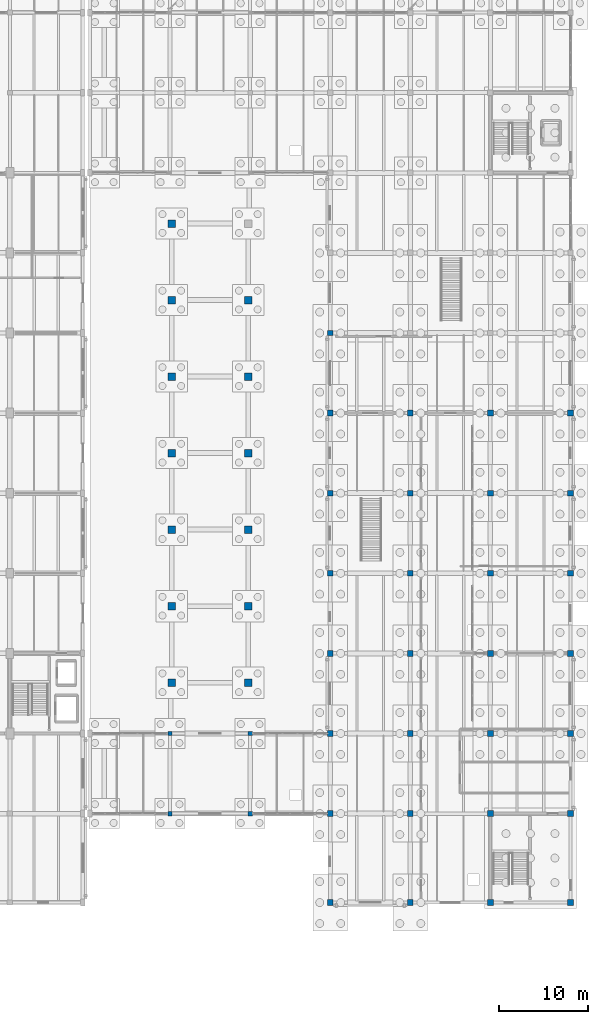
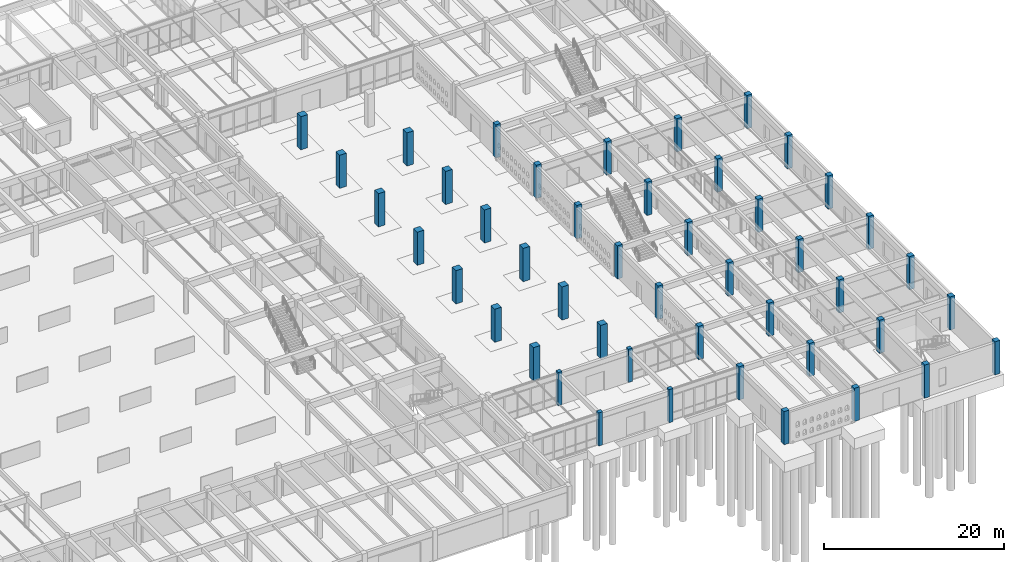
# One storey, part 18 of 186: 46 columns.
"""IFC4 building model written with IfcOpenShell, lengths in metres."""

import ifcopenshell
import ifcopenshell.guid

model = None  # the IFC model being written
_history = None  # IfcOwnerHistory: only IFC2X3 demands one
_inside = {}  # id of a spatial element -> (the spatial element, [elements in it])
_under = {}  # id of a project, library or spatial element -> (it, [spatial elements below it])
_declared = {}  # id of a project -> (the project, [libraries it declares])
_typed = {}  # id of a type object -> (the type object, [elements of that type])
_made_of = {}  # id of a material, layer set ... -> (it, [elements and type objects made of it])


def new_model(schema):
    """Start an empty IFC model of exactly this schema.

    Asked for "IFC4X3", IfcOpenShell would pick the latest addendum, in which some entities
    have other attributes; the version numbers below select the first issue.
    IFC2X3 requires an IfcOwnerHistory on every rooted entity: one is made here for all.
    """
    global model, _history
    if schema == "IFC4X3":
        model = ifcopenshell.file(schema_version=(4, 3, 0, 0))
    else:
        model = ifcopenshell.file(schema=schema)
    _inside.clear()
    _under.clear()
    _declared.clear()
    _typed.clear()
    _made_of.clear()
    _history = None
    if model.schema == "IFC2X3":
        org = make("IfcOrganization", Name="unknown")
        user = make(
            "IfcPersonAndOrganization",
            ThePerson=make("IfcPerson", FamilyName="unknown"),
            TheOrganization=org,
        )
        app = make(
            "IfcApplication",
            ApplicationDeveloper=org,
            Version="unknown",
            ApplicationFullName="unknown",
            ApplicationIdentifier="unknown",
        )
        _history = make(
            "IfcOwnerHistory",
            OwningUser=user,
            OwningApplication=app,
            ChangeAction="ADDED",
            CreationDate=0,
        )
    return model


def make(cls, **values):
    """One entity of the class cls with the attributes given. An attribute that is None is left unset."""
    return model.create_entity(
        cls, **{name: value for name, value in values.items() if value is not None}
    )


def rooted(cls, **values):
    """An entity with a GlobalId (a new one), such as an element, a storey or a relation."""
    return make(cls, GlobalId=ifcopenshell.guid.new(), OwnerHistory=_history, **values)


def si_unit(unit_type, name, prefix=None):
    """IfcSIUnit, for example si_unit("LENGTHUNIT", "METRE", prefix="MILLI")."""
    return make("IfcSIUnit", UnitType=unit_type, Prefix=prefix, Name=name)


def assignment(units):
    """IfcUnitAssignment: the units of a project."""
    return None if units is None else make("IfcUnitAssignment", Units=units)


def point(xyz):
    """IfcCartesianPoint."""
    return None if xyz is None else make("IfcCartesianPoint", Coordinates=xyz)


def direction(xyz):
    """IfcDirection."""
    return None if xyz is None else make("IfcDirection", DirectionRatios=xyz)


def frame(location, z_axis=None, x_axis=None):
    """IfcAxis2Placement3D, a coordinate frame: its origin and axes. An axis left out is left unset."""
    return make(
        "IfcAxis2Placement3D",
        Location=point(location),
        Axis=direction(z_axis),
        RefDirection=direction(x_axis),
    )


def frame_2d(location, x_axis=None):
    """IfcAxis2Placement2D, a coordinate frame in the plane: its origin and x axis."""
    return make(
        "IfcAxis2Placement2D", Location=point(location), RefDirection=direction(x_axis)
    )


def origin():
    """The frame at (0, 0, 0) with its axes left unset."""
    return frame((0.0, 0.0, 0.0))


def origin_2d():
    """The frame at (0, 0) in the plane with its x axis left unset."""
    return frame_2d((0.0, 0.0))


def place(relative_to, where):
    """IfcLocalPlacement: puts the frame where relative to a parent placement (None: the world)."""
    return make(
        "IfcLocalPlacement", PlacementRelTo=relative_to, RelativePlacement=where
    )


def context(
    kind, dimensions, precision=None, world=None, true_north=None, identifier=None
):
    """IfcGeometricRepresentationContext, for example the 3D "Model" context."""
    return make(
        "IfcGeometricRepresentationContext",
        ContextIdentifier=identifier,
        ContextType=kind,
        CoordinateSpaceDimension=dimensions,
        Precision=precision,
        WorldCoordinateSystem=world,
        TrueNorth=true_north,
    )


def subcontext(parent, identifier, kind, view, scale=None):
    """IfcGeometricRepresentationSubContext, for example "Body" below "Model"."""
    return make(
        "IfcGeometricRepresentationSubContext",
        ContextIdentifier=identifier,
        ContextType=kind,
        ParentContext=parent,
        TargetScale=scale,
        TargetView=view,
    )


def project(units=None, contexts=None):
    """IfcProject with its units and contexts."""
    return rooted(
        "IfcProject",
        Name="project",
        RepresentationContexts=contexts,
        UnitsInContext=assignment(units),
    )


def spatial(cls, under=None, at=None, **own):
    """A site, building, storey or space (cls), placed at a placement, below another one or the project."""
    s = rooted(cls, ObjectPlacement=at, **own)
    if under is not None:
        _under.setdefault(under.id(), (under, []))[1].append(s)
    return s


def profile(cls, at=None, kind="AREA", **sizes):
    """A parametric profile (cls). Its sizes go by their IFC names, for example OverallWidth=200.0."""
    return make(cls, ProfileType=kind, Position=at, **sizes)


def rectangle(**sizes):
    """IfcRectangleProfileDef."""
    return profile("IfcRectangleProfileDef", **sizes)


def extrude(swept, where, along, depth):
    """IfcExtrudedAreaSolid: the profile swept, set in the frame where, extruded along a direction by depth."""
    return make(
        "IfcExtrudedAreaSolid",
        SweptArea=swept,
        Position=where,
        ExtrudedDirection=direction(along),
        Depth=depth,
    )


def shape(context_of_items, identifier, shape_type, items):
    """IfcShapeRepresentation: the items that make up one representation, for example the "Body"."""
    return make(
        "IfcShapeRepresentation",
        ContextOfItems=context_of_items,
        RepresentationIdentifier=identifier,
        RepresentationType=shape_type,
        Items=items,
    )


def material(Name=None, Category=None):
    """IfcMaterial."""
    return make("IfcMaterial", Name=Name, Category=Category)


def material_profile(
    of_material, cross_section, Name=None, Category=None, Priority=None
):
    """IfcMaterialProfile: a cross section and its material."""
    return make(
        "IfcMaterialProfile",
        Name=Name,
        Material=of_material,
        Profile=cross_section,
        Priority=Priority,
        Category=Category,
    )


def profile_set(profiles, Name=None, composite=None):
    """IfcMaterialProfileSet."""
    return make(
        "IfcMaterialProfileSet",
        Name=Name,
        MaterialProfiles=profiles,
        CompositeProfile=composite,
    )


def made_of(thing, what):
    """Note that an element or type object is made of a material, layer set ...; save() writes the relation."""
    if what is not None:
        _made_of.setdefault(what.id(), (what, []))[1].append(thing)
    return thing


def type_object(cls, material=None, **own):
    """A type object (cls), such as IfcWallType, which elements share."""
    return made_of(rooted(cls, **own), material)


def element(
    cls,
    number,
    at=None,
    inside=None,
    cuts=None,
    type_object=None,
    material=None,
    context=None,
    identifier="Body",
    shape_type=None,
    held_by="IfcProductDefinitionShape",
    body=None,
    shapes=None,
    **own,
):
    """One element of the class cls, such as IfcWall. Its Tag is "e" and its number.

    at: its placement. inside: the storey or other place that contains it. cuts: it is an
    opening in that element (IfcRelVoidsElement). A single representation is given by context,
    identifier, shape_type and body (its items); several are given by shapes. held_by: the class
    of the entity that holds the representations. save() writes the other relations.
    """
    e = rooted(cls, Tag="e%d" % number, ObjectPlacement=at, **own)
    if body is not None:
        shapes = [shape(context, identifier, shape_type, body)]
    if shapes is not None:
        e.Representation = make(held_by, Representations=shapes)
    if inside is not None:
        _inside.setdefault(inside.id(), (inside, []))[1].append(e)
    if cuts is not None:
        rooted(
            "IfcRelVoidsElement", RelatingBuildingElement=cuts, RelatedOpeningElement=e
        )
    if type_object is not None:
        _typed.setdefault(type_object.id(), (type_object, []))[1].append(e)
    return made_of(e, material)


def aggregate(whole, parts):
    """IfcRelAggregates: a whole, such as a stair, and the parts it consists of."""
    return rooted("IfcRelAggregates", RelatingObject=whole, RelatedObjects=parts)


def save(model, path):
    """Write the relations noted so far, then the file.

    IfcRelAggregates (storeys below a building ...), IfcRelContainedInSpatialStructure (elements
    in a storey), IfcRelDefinesByType, IfcRelAssociatesMaterial and IfcRelDeclares: one each for
    every whole, place, type object, material and project.
    """
    for whole, parts in _under.values():
        aggregate(whole, parts)
    for where, things in _inside.values():
        rooted(
            "IfcRelContainedInSpatialStructure",
            RelatedElements=things,
            RelatingStructure=where,
        )
    for kind, things in _typed.values():
        rooted("IfcRelDefinesByType", RelatedObjects=things, RelatingType=kind)
    for what, things in _made_of.values():
        rooted("IfcRelAssociatesMaterial", RelatedObjects=things, RelatingMaterial=what)
    for by, libraries in _declared.values():
        rooted("IfcRelDeclares", RelatingContext=by, RelatedDefinitions=libraries)
    model.write(path)


model = new_model("IFC4")

# Units and contexts
model_context = context("Model", 3, precision=1e-05, world=origin(), true_north=direction((0.0, 1.0)))
body_context = subcontext(model_context, "Body", "Model", "MODEL_VIEW")
ifc_project = project(units=[si_unit("LENGTHUNIT", "METRE"), si_unit("AREAUNIT", "SQUARE_METRE"), si_unit("VOLUMEUNIT", "CUBIC_METRE"), si_unit("PLANEANGLEUNIT", "RADIAN"), si_unit("MASSUNIT", "GRAM", prefix="KILO")], contexts=[model_context])

# Site, building, storey
site_placement = place(None, origin())
site = spatial("IfcSite", under=ifc_project, at=site_placement, CompositionType="ELEMENT")
building_placement = place(site_placement, origin())
building = spatial("IfcBuilding", under=site, at=building_placement, Name="Ornek Quay Market", CompositionType="ELEMENT")
storey_placement = place(building_placement, origin())
storey = spatial("IfcBuildingStorey", under=building, at=storey_placement, Name="L00", CompositionType="ELEMENT", Elevation=0.0)

# Columns
ifc_material = material(Name="Concrete C40/50", Category="concrete")
ifc_material_profile_1 = material_profile(ifc_material, rectangle(XDim=0.5, YDim=0.5, at=origin_2d()), Name="RC 500x500", Category="concrete")
ifc_profile_set_1 = profile_set([ifc_material_profile_1], Name="Concrete C40/50")
column_type_1 = type_object("IfcColumnType", Name="COL-RC-500x500", PredefinedType="COLUMN", material=ifc_profile_set_1)
for number, where, z_axis, x_axis, name in (
    (1, (135.0, 20.0, 0.0), (0.0, 0.0, 1.0), (1.0, 0.0, 0.0), "Column C-50-065"),
    (2, (135.0, 29.0, 0.0), (0.0, 0.0, 1.0), (1.0, 0.0, 0.0), "Column C-50-066"),
    (3, (144.0, 20.0, 0.0), (0.0, 0.0, 1.0), (1.0, 0.0, 0.0), "Column C-50-068"),
    (4, (144.0, 29.0, 0.0), (0.0, 0.0, 1.0), (1.0, 0.0, 0.0), "Column C-50-069"),
):
    element("IfcColumn", number, at=place(storey_placement, frame(where, z_axis=z_axis, x_axis=x_axis)), inside=storey, type_object=column_type_1, Name=name, PredefinedType="COLUMN", context=body_context, shape_type="SweptSolid", body=[
        extrude(rectangle(XDim=0.5, YDim=0.5, at=origin_2d()), origin(), (0.0, 0.0, 1.0), 4.5),
    ])
ifc_material_profile_2 = material_profile(ifc_material, rectangle(XDim=0.60009765625, YDim=0.60009765625, at=origin_2d()), Name="RC 600x600", Category="concrete")
ifc_profile_set_2 = profile_set([ifc_material_profile_2], Name="Concrete C40/50")
column_type_2 = type_object("IfcColumnType", Name="COL-RC-600x600", PredefinedType="COLUMN", material=ifc_profile_set_2)
column_placement = place(storey_placement, frame((153.0, 74.0, 0.0), z_axis=(0.0, 0.0, 1.0), x_axis=(1.0, 0.0, 0.0)))
element("IfcColumn", 5, at=column_placement, inside=storey, type_object=column_type_2, Name="Column C-60-024", PredefinedType="COLUMN", context=body_context, shape_type="SweptSolid", body=[
    extrude(rectangle(XDim=0.60009765625, YDim=0.60009765625, at=origin_2d()), origin(), (0.0, 0.0, 1.0), 4.5),
])
ifc_material_profile_3 = material_profile(ifc_material, rectangle(XDim=0.64990234375, YDim=0.64990234375, at=origin_2d()), Name="RC 650x650", Category="concrete")
ifc_profile_set_3 = profile_set([ifc_material_profile_3], Name="Concrete C40/50")
column_type_3 = type_object("IfcColumnType", Name="COL-RC-650x650", PredefinedType="COLUMN", material=ifc_profile_set_3)
for number, where, z_axis, x_axis, name in (
    (6, (153.0, 10.0, 0.0), (0.0, 0.0, 1.0), (1.0, 0.0, 0.0), "Column C-65-001"),
    (7, (153.0, 20.0, 0.0), (0.0, 0.0, 1.0), (1.0, 0.0, 0.0), "Column C-65-002"),
    (8, (153.0, 29.0, 0.0), (0.0, 0.0, 1.0), (1.0, 0.0, 0.0), "Column C-65-003"),
    (9, (153.0, 38.0, 0.0), (0.0, 0.0, 1.0), (1.0, 0.0, 0.0), "Column C-65-004"),
    (10, (153.0, 47.0, 0.0), (0.0, 0.0, 1.0), (1.0, 0.0, 0.0), "Column C-65-005"),
    (11, (153.0, 56.0, 0.0), (0.0, 0.0, 1.0), (1.0, 0.0, 0.0), "Column C-65-006"),
    (12, (153.0, 65.0, 0.0), (0.0, 0.0, 1.0), (1.0, 0.0, 0.0), "Column C-65-007"),
    (13, (162.0, 10.0, 0.0), (0.0, 0.0, 1.0), (1.0, 0.0, 0.0), "Column C-65-008"),
    (14, (162.0, 20.0, 0.0), (0.0, 0.0, 1.0), (1.0, 0.0, 0.0), "Column C-65-009"),
    (15, (162.0, 29.0, 0.0), (0.0, 0.0, 1.0), (1.0, 0.0, 0.0), "Column C-65-010"),
    (16, (162.0, 38.0, 0.0), (0.0, 0.0, 1.0), (1.0, 0.0, 0.0), "Column C-65-011"),
    (17, (162.0, 47.0, 0.0), (0.0, 0.0, 1.0), (1.0, 0.0, 0.0), "Column C-65-012"),
    (18, (162.0, 56.0, 0.0), (0.0, 0.0, 1.0), (1.0, 0.0, 0.0), "Column C-65-013"),
    (19, (162.0, 65.0, 0.0), (0.0, 0.0, 1.0), (1.0, 0.0, 0.0), "Column C-65-014"),
    (20, (171.0, 10.0, 0.0), (0.0, 0.0, 1.0), (1.0, 0.0, 0.0), "Column C-65-015"),
    (21, (171.0, 20.0, 0.0), (0.0, 0.0, 1.0), (1.0, 0.0, 0.0), "Column C-65-016"),
    (22, (171.0, 29.0, 0.0), (0.0, 0.0, 1.0), (1.0, 0.0, 0.0), "Column C-65-017"),
    (23, (171.0, 38.0, 0.0), (0.0, 0.0, 1.0), (1.0, 0.0, 0.0), "Column C-65-018"),
    (24, (171.0, 47.0, 0.0), (0.0, 0.0, 1.0), (1.0, 0.0, 0.0), "Column C-65-019"),
    (25, (171.0, 56.0, 0.0), (0.0, 0.0, 1.0), (1.0, 0.0, 0.0), "Column C-65-020"),
    (26, (171.0, 65.0, 0.0), (0.0, 0.0, 1.0), (1.0, 0.0, 0.0), "Column C-65-021"),
    (27, (180.0, 10.0, 0.0), (0.0, 0.0, 1.0), (1.0, 0.0, 0.0), "Column C-65-022"),
    (28, (180.0, 20.0, 0.0), (0.0, 0.0, 1.0), (1.0, 0.0, 0.0), "Column C-65-023"),
    (29, (180.0, 29.0, 0.0), (0.0, 0.0, 1.0), (1.0, 0.0, 0.0), "Column C-65-024"),
    (30, (180.0, 38.0, 0.0), (0.0, 0.0, 1.0), (1.0, 0.0, 0.0), "Column C-65-025"),
    (31, (180.0, 47.0, 0.0), (0.0, 0.0, 1.0), (1.0, 0.0, 0.0), "Column C-65-026"),
    (32, (180.0, 56.0, 0.0), (0.0, 0.0, 1.0), (1.0, 0.0, 0.0), "Column C-65-027"),
    (33, (180.0, 65.0, 0.0), (0.0, 0.0, 1.0), (1.0, 0.0, 0.0), "Column C-65-028"),
):
    element("IfcColumn", number, at=place(storey_placement, frame(where, z_axis=z_axis, x_axis=x_axis)), inside=storey, type_object=column_type_3, Name=name, PredefinedType="COLUMN", context=body_context, shape_type="SweptSolid", body=[
        extrude(rectangle(XDim=0.64990234375, YDim=0.64990234375, at=origin_2d()), origin(), (0.0, 0.0, 1.0), 4.5),
    ])
ifc_material_profile_4 = material_profile(ifc_material, rectangle(XDim=0.85009765625, YDim=0.85009765625, at=origin_2d()), Name="RC 850x850", Category="concrete")
ifc_profile_set_4 = profile_set([ifc_material_profile_4], Name="Concrete C40/50")
column_type_4 = type_object("IfcColumnType", Name="COL-UMB-850x850", PredefinedType="COLUMN", material=ifc_profile_set_4)
for number, where, z_axis, x_axis, name in (
    (34, (135.199951171875, 34.699951171875, 0.0), (0.0, 0.0, 1.0), (1.0, 0.0, 0.0), "Umbrella column UMB-E01 (L00)"),
    (35, (135.199951171875, 43.300048828125, 0.0), (0.0, 0.0, 1.0), (1.0, 0.0, 0.0), "Umbrella column UMB-E02 (L00)"),
    (36, (135.199951171875, 51.89990234375, 0.0), (0.0, 0.0, 1.0), (1.0, 0.0, 0.0), "Umbrella column UMB-E03 (L00)"),
    (37, (135.199951171875, 60.5, 0.0), (0.0, 0.0, 1.0), (1.0, 0.0, 0.0), "Umbrella column UMB-E04 (L00)"),
    (38, (135.199951171875, 69.10009765625, 0.0), (0.0, 0.0, 1.0), (1.0, 0.0, 0.0), "Umbrella column UMB-E05 (L00)"),
    (39, (135.199951171875, 77.699951171875, 0.0), (0.0, 0.0, 1.0), (1.0, 0.0, 0.0), "Umbrella column UMB-E06 (L00)"),
    (40, (135.199951171875, 86.300048828125, 0.0), (0.0, 0.0, 1.0), (1.0, 0.0, 0.0), "Umbrella column UMB-E07 (L00)"),
    (41, (143.800048828125, 34.699951171875, 0.0), (0.0, 0.0, 1.0), (1.0, 0.0, 0.0), "Umbrella column UMB-E08 (L00)"),
    (42, (143.800048828125, 43.300048828125, 0.0), (0.0, 0.0, 1.0), (1.0, 0.0, 0.0), "Umbrella column UMB-E09 (L00)"),
    (43, (143.800048828125, 51.89990234375, 0.0), (0.0, 0.0, 1.0), (1.0, 0.0, 0.0), "Umbrella column UMB-E10 (L00)"),
    (44, (143.800048828125, 60.5, 0.0), (0.0, 0.0, 1.0), (1.0, 0.0, 0.0), "Umbrella column UMB-E11 (L00)"),
    (45, (143.800048828125, 69.10009765625, 0.0), (0.0, 0.0, 1.0), (1.0, 0.0, 0.0), "Umbrella column UMB-E12 (L00)"),
    (46, (143.800048828125, 77.699951171875, 0.0), (0.0, 0.0, 1.0), (1.0, 0.0, 0.0), "Umbrella column UMB-E13 (L00)"),
):
    element("IfcColumn", number, at=place(storey_placement, frame(where, z_axis=z_axis, x_axis=x_axis)), inside=storey, type_object=column_type_4, Name=name, PredefinedType="COLUMN", context=body_context, shape_type="SweptSolid", body=[
        extrude(rectangle(XDim=0.85009765625, YDim=0.85009765625, at=origin_2d()), origin(), (0.0, 0.0, 1.0), 4.5),
    ])

save(model, "model.ifc")
